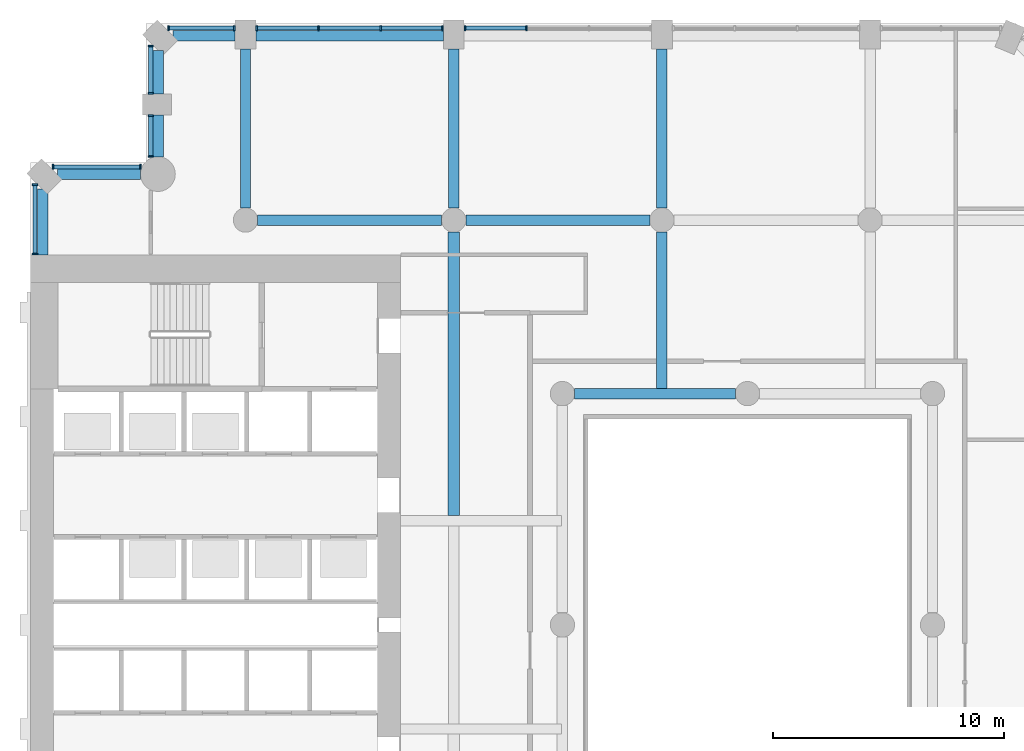
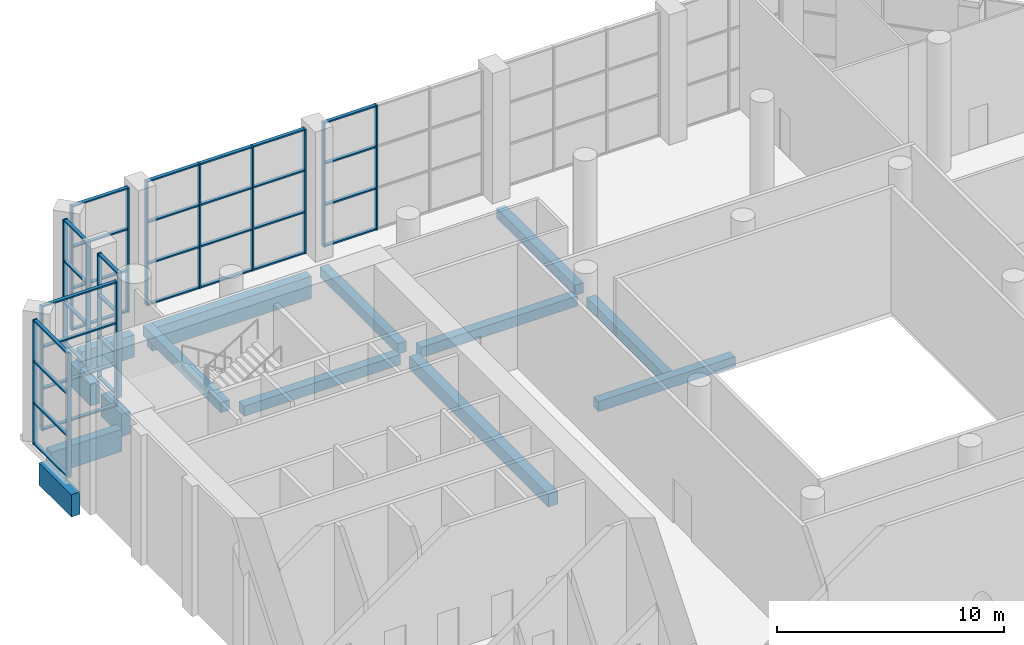
# One storey, part 6 of 22: 52 members, 14 beams, 7 elements without a shape of their own.
"""IFC4 building model written with IfcOpenShell, lengths in metres."""

from ifc_helpers import new_model, si_unit, direction, frame, origin, origin_2d, place, context, subcontext, project, spatial, rectangle, extrude, material, material_profile, profile_set, type_object, element, aggregate, save


model = new_model("IFC4")

# Units and contexts
model_context = context("Model", 3, precision=1e-05, world=origin(), true_north=direction((0.0, 1.0)))
body_context = subcontext(model_context, "Body", "Model", "MODEL_VIEW")
ifc_project = project(units=[si_unit("LENGTHUNIT", "METRE"), si_unit("AREAUNIT", "SQUARE_METRE"), si_unit("VOLUMEUNIT", "CUBIC_METRE"), si_unit("PLANEANGLEUNIT", "RADIAN"), si_unit("MASSUNIT", "GRAM", prefix="KILO")], contexts=[model_context])

# Site, building, storey
site_placement = place(None, origin())
site = spatial("IfcSite", under=ifc_project, at=site_placement, CompositionType="ELEMENT")
building_placement = place(site_placement, origin())
building = spatial("IfcBuilding", under=site, at=building_placement, Name="Cypress Arch Tower", CompositionType="ELEMENT")
storey_placement = place(building_placement, frame((0.0, 0.0, 145.5)))
storey = spatial("IfcBuildingStorey", under=building, at=storey_placement, Name="L32", CompositionType="ELEMENT", Elevation=145.5)

# Beams
ifc_material_1 = material(Name="Concrete C50/60", Category="concrete")
ifc_material_profile_1 = material_profile(ifc_material_1, rectangle(XDim=0.449951171875, YDim=0.550048828125, at=origin_2d()), Name="RC 450x550")
ifc_profile_set_1 = profile_set([ifc_material_profile_1], Name="Concrete C50/60")
beam_type_1 = type_object("IfcBeamType", Name="Floor beam RC 450x550 Concrete C50/60", PredefinedType="BEAM", material=ifc_profile_set_1)
beam_1_placement = place(storey_placement, frame((-6.47509765625, 10.0, -0.574951171875), z_axis=(1.0, 0.0, 0.0), x_axis=(0.0, 1.0, 0.0)))
element("IfcBeam", 1, at=beam_1_placement, inside=storey, type_object=beam_type_1, Name="Floor beam L32 RB007", PredefinedType="BEAM", context=body_context, shape_type="SweptSolid", body=[
    extrude(rectangle(XDim=0.449951171875, YDim=0.550048828125, at=origin_2d()), origin(), (0.0, 0.0, 1.0), 6.9501953125),
])
for number, where, z_axis, x_axis, name in (
    (2, (-20.175048828125, 17.5, -0.574951171875), (1.0, 0.0, 0.0), (0.0, 1.0, 0.0), "Floor beam L32 FB015"),
    (3, (-11.175048828125, 17.5, -0.574951171875), (1.0, 0.0, 0.0), (0.0, 1.0, 0.0), "Floor beam L32 FB016"),
):
    element("IfcBeam", number, at=place(storey_placement, frame(where, z_axis=z_axis, x_axis=x_axis)), inside=storey, type_object=beam_type_1, Name=name, PredefinedType="BEAM", context=body_context, shape_type="SweptSolid", body=[
        extrude(rectangle(XDim=0.449951171875, YDim=0.550048828125, at=origin_2d()), origin(), (0.0, 0.0, 1.0), 7.949951171875),
    ])
for number, where, z_axis, x_axis, name in (
    (4, (-20.699951171875, 18.02490234375, -0.574951171875), (0.0, 1.0, 0.0), (-1.0, 0.0, 0.0), "Floor beam L32 FB020"),
    (5, (-11.699951171875, 18.02490234375, -0.574951171875), (0.0, 1.0, 0.0), (-1.0, 0.0, 0.0), "Floor beam L32 FB025"),
):
    element("IfcBeam", number, at=place(storey_placement, frame(where, z_axis=z_axis, x_axis=x_axis)), inside=storey, type_object=beam_type_1, Name=name, PredefinedType="BEAM", context=body_context, shape_type="SweptSolid", body=[
        extrude(rectangle(XDim=0.449951171875, YDim=0.550048828125, at=origin_2d()), origin(), (0.0, 0.0, 1.0), 6.875),
    ])
beam_2_placement = place(storey_placement, frame((-2.699951171875, 10.22509765625, -0.574951171875), z_axis=(0.0, 1.0, 0.0), x_axis=(-1.0, 0.0, 0.0)))
element("IfcBeam", 6, at=beam_2_placement, inside=storey, type_object=beam_type_1, Name="Floor beam L32 FB028", PredefinedType="BEAM", context=body_context, shape_type="SweptSolid", body=[
    extrude(rectangle(XDim=0.449951171875, YDim=0.550048828125, at=origin_2d()), origin(), (0.0, 0.0, 1.0), 6.75),
])
beam_3_placement = place(storey_placement, frame((-2.699951171875, 18.02490234375, -0.574951171875), z_axis=(0.0, 1.0, 0.0), x_axis=(-1.0, 0.0, 0.0)))
element("IfcBeam", 7, at=beam_3_placement, inside=storey, type_object=beam_type_1, Name="Floor beam L32 FB029", PredefinedType="BEAM", context=body_context, shape_type="SweptSolid", body=[
    extrude(rectangle(XDim=0.449951171875, YDim=0.550048828125, at=origin_2d()), origin(), (0.0, 0.0, 1.0), 6.875),
])
ifc_material_2 = material(Name="Concrete C50/60", Category="concrete")
ifc_material_profile_2 = material_profile(ifc_material_2, rectangle(XDim=0.5, YDim=0.699951171875, at=origin_2d()), Name="RC 500x700")
ifc_profile_set_2 = profile_set([ifc_material_profile_2], Name="Concrete C50/60")
beam_type_2 = type_object("IfcBeamType", Name="Floor beam RC 500x700 Concrete C50/60", PredefinedType="BEAM", material=ifc_profile_set_2)
beam_4_placement = place(storey_placement, frame((-11.699951171875, 4.72509765625, -0.64990234375), z_axis=(0.0, 1.0, 0.0), x_axis=(-1.0, 0.0, 0.0)))
element("IfcBeam", 8, at=beam_4_placement, inside=storey, type_object=beam_type_2, Name="Floor beam L32 FB024", PredefinedType="BEAM", context=body_context, shape_type="SweptSolid", body=[
    extrude(rectangle(XDim=0.5, YDim=0.699951171875, at=origin_2d()), origin(), (0.0, 0.0, 1.0), 12.25),
])

# Curtain wall, members
ifc_material_3 = material(Name="Anodised aluminium, bronze finish, solar control laminated double glazing", Category="aluminium")
curtain_wall_type = type_object("IfcCurtainWallType", Name="Curtain wall CW3 sky lobby glazing", PredefinedType="NOTDEFINED", material=ifc_material_3)
curtain_wall_1_placement = place(storey_placement, origin())
curtain_wall_1 = element("IfcCurtainWall", 9, at=curtain_wall_1_placement, inside=storey, type_object=curtain_wall_type, Name="Curtain wall L32 A00.0.1", PredefinedType="NOTDEFINED")
ifc_material_4 = material(Name="Anodised aluminium, bronze finish", Category="aluminium")
ifc_material_profile_3 = material_profile(ifc_material_4, rectangle(XDim=0.219970703125, YDim=0.074951171875, at=origin_2d()), Name="Mullion 75x220")
ifc_profile_set_3 = profile_set([ifc_material_profile_3], Name="Anodised aluminium, bronze finish")
member_type_1 = type_object("IfcMemberType", Name="Mullion CW3 75x220", PredefinedType="MULLION", material=ifc_profile_set_3)
member_1_placement = place(storey_placement, frame((-29.800048828125, 19.026123046875, 0.0), z_axis=(0.0, 0.0, 1.0), x_axis=(1.0, 0.0, 0.0)))
member_1 = element("IfcMember", 10, at=member_1_placement, type_object=member_type_1, Name="CW3 mullion 1", PredefinedType="MULLION", context=body_context, shape_type="SweptSolid", body=[
    extrude(rectangle(XDim=0.219970703125, YDim=0.074951171875, at=origin_2d()), origin(), (0.0, 0.0, 1.0), 6.699951171875),
])
member_2_placement = place(storey_placement, frame((-29.800048828125, 16.03759765625, 0.0), z_axis=(0.0, 0.0, 1.0), x_axis=(1.0, 0.0, 0.0)))
member_2 = element("IfcMember", 11, at=member_2_placement, type_object=member_type_1, Name="CW3 mullion 2", PredefinedType="MULLION", context=body_context, shape_type="SweptSolid", body=[
    extrude(rectangle(XDim=0.219970703125, YDim=0.074951171875, at=origin_2d()), origin(), (0.0, 0.0, 1.0), 6.699951171875),
])

curtain_wall_2_placement = place(storey_placement, origin())
curtain_wall_2 = element("IfcCurtainWall", 12, at=curtain_wall_2_placement, inside=storey, type_object=curtain_wall_type, Name="Curtain wall L32 A08.2.1", PredefinedType="NOTDEFINED")
member_3_placement = place(storey_placement, frame((-8.550048828125, 25.800048828125, 0.0), z_axis=(0.0, 0.0, 1.0), x_axis=(0.0, -1.0, 0.0)))
member_3 = element("IfcMember", 13, at=member_3_placement, type_object=member_type_1, Name="CW3 mullion 3", PredefinedType="MULLION", context=body_context, shape_type="SweptSolid", body=[
    extrude(rectangle(XDim=0.219970703125, YDim=0.074951171875, at=origin_2d()), origin(), (0.0, 0.0, 1.0), 6.699951171875),
])
member_4_placement = place(storey_placement, frame((-11.21240234375, 25.800048828125, 0.0), z_axis=(0.0, 0.0, 1.0), x_axis=(0.0, -1.0, 0.0)))
member_4 = element("IfcMember", 14, at=member_4_placement, type_object=member_type_1, Name="CW3 mullion 4", PredefinedType="MULLION", context=body_context, shape_type="SweptSolid", body=[
    extrude(rectangle(XDim=0.219970703125, YDim=0.074951171875, at=origin_2d()), origin(), (0.0, 0.0, 1.0), 6.699951171875),
])

curtain_wall_3_placement = place(storey_placement, origin())
curtain_wall_3 = element("IfcCurtainWall", 15, at=curtain_wall_3_placement, inside=storey, type_object=curtain_wall_type, Name="Curtain wall L32 A08.3.1", PredefinedType="NOTDEFINED")
member_5_placement = place(storey_placement, frame((-12.1875, 25.800048828125, 0.0), z_axis=(0.0, 0.0, 1.0), x_axis=(0.0, -1.0, 0.0)))
member_5 = element("IfcMember", 16, at=member_5_placement, type_object=member_type_1, Name="CW3 mullion 1", PredefinedType="MULLION", context=body_context, shape_type="SweptSolid", body=[
    extrude(rectangle(XDim=0.219970703125, YDim=0.074951171875, at=origin_2d()), origin(), (0.0, 0.0, 1.0), 6.699951171875),
])
member_6_placement = place(storey_placement, frame((-14.85009765625, 25.800048828125, 0.0), z_axis=(0.0, 0.0, 1.0), x_axis=(0.0, -1.0, 0.0)))
member_6 = element("IfcMember", 17, at=member_6_placement, type_object=member_type_1, Name="CW3 mullion 2", PredefinedType="MULLION", context=body_context, shape_type="SweptSolid", body=[
    extrude(rectangle(XDim=0.219970703125, YDim=0.074951171875, at=origin_2d()), origin(), (0.0, 0.0, 1.0), 6.699951171875),
])
member_7_placement = place(storey_placement, frame((-17.550048828125, 25.800048828125, 0.0), z_axis=(0.0, 0.0, 1.0), x_axis=(0.0, -1.0, 0.0)))
member_7 = element("IfcMember", 18, at=member_7_placement, type_object=member_type_1, Name="CW3 mullion 3", PredefinedType="MULLION", context=body_context, shape_type="SweptSolid", body=[
    extrude(rectangle(XDim=0.219970703125, YDim=0.074951171875, at=origin_2d()), origin(), (0.0, 0.0, 1.0), 6.699951171875),
])
member_8_placement = place(storey_placement, frame((-20.21240234375, 25.800048828125, 0.0), z_axis=(0.0, 0.0, 1.0), x_axis=(0.0, -1.0, 0.0)))
member_8 = element("IfcMember", 19, at=member_8_placement, type_object=member_type_1, Name="CW3 mullion 4", PredefinedType="MULLION", context=body_context, shape_type="SweptSolid", body=[
    extrude(rectangle(XDim=0.219970703125, YDim=0.074951171875, at=origin_2d()), origin(), (0.0, 0.0, 1.0), 6.699951171875),
])

curtain_wall_4_placement = place(storey_placement, origin())
curtain_wall_4 = element("IfcCurtainWall", 20, at=curtain_wall_4_placement, inside=storey, type_object=curtain_wall_type, Name="Curtain wall L32 A08.4.1", PredefinedType="NOTDEFINED")
member_9_placement = place(storey_placement, frame((-21.1875, 25.800048828125, 0.0), z_axis=(0.0, 0.0, 1.0), x_axis=(0.0, -1.0, 0.0)))
member_9 = element("IfcMember", 21, at=member_9_placement, type_object=member_type_1, Name="CW3 mullion 1", PredefinedType="MULLION", context=body_context, shape_type="SweptSolid", body=[
    extrude(rectangle(XDim=0.219970703125, YDim=0.074951171875, at=origin_2d()), origin(), (0.0, 0.0, 1.0), 6.699951171875),
])
member_10_placement = place(storey_placement, frame((-24.026123046875, 25.800048828125, 0.0), z_axis=(0.0, 0.0, 1.0), x_axis=(0.0, -1.0, 0.0)))
member_10 = element("IfcMember", 22, at=member_10_placement, type_object=member_type_1, Name="CW3 mullion 2", PredefinedType="MULLION", context=body_context, shape_type="SweptSolid", body=[
    extrude(rectangle(XDim=0.219970703125, YDim=0.074951171875, at=origin_2d()), origin(), (0.0, 0.0, 1.0), 6.699951171875),
])

curtain_wall_5_placement = place(storey_placement, origin())
curtain_wall_5 = element("IfcCurtainWall", 23, at=curtain_wall_5_placement, inside=storey, type_object=curtain_wall_type, Name="Curtain wall L32 A09.0.1", PredefinedType="NOTDEFINED")
member_11_placement = place(storey_placement, frame((-24.800048828125, 25.026123046875, 0.0), z_axis=(0.0, 0.0, 1.0), x_axis=(1.0, 0.0, 0.0)))
member_11 = element("IfcMember", 24, at=member_11_placement, type_object=member_type_1, Name="CW3 mullion 1", PredefinedType="MULLION", context=body_context, shape_type="SweptSolid", body=[
    extrude(rectangle(XDim=0.219970703125, YDim=0.074951171875, at=origin_2d()), origin(), (0.0, 0.0, 1.0), 6.699951171875),
])
member_12_placement = place(storey_placement, frame((-24.800048828125, 22.987548828125, 0.0), z_axis=(0.0, 0.0, 1.0), x_axis=(1.0, 0.0, 0.0)))
member_12 = element("IfcMember", 25, at=member_12_placement, type_object=member_type_1, Name="CW3 mullion 2", PredefinedType="MULLION", context=body_context, shape_type="SweptSolid", body=[
    extrude(rectangle(XDim=0.219970703125, YDim=0.074951171875, at=origin_2d()), origin(), (0.0, 0.0, 1.0), 6.699951171875),
])

curtain_wall_6_placement = place(storey_placement, origin())
curtain_wall_6 = element("IfcCurtainWall", 26, at=curtain_wall_6_placement, inside=storey, type_object=curtain_wall_type, Name="Curtain wall L32 A09.1.1", PredefinedType="NOTDEFINED")
member_13_placement = place(storey_placement, frame((-24.800048828125, 22.012451171875, 0.0), z_axis=(0.0, 0.0, 1.0), x_axis=(1.0, 0.0, 0.0)))
member_13 = element("IfcMember", 27, at=member_13_placement, type_object=member_type_1, Name="CW3 mullion 1", PredefinedType="MULLION", context=body_context, shape_type="SweptSolid", body=[
    extrude(rectangle(XDim=0.219970703125, YDim=0.074951171875, at=origin_2d()), origin(), (0.0, 0.0, 1.0), 6.699951171875),
])
member_14_placement = place(storey_placement, frame((-24.800048828125, 20.244384765625, 0.0), z_axis=(0.0, 0.0, 1.0), x_axis=(1.0, 0.0, 0.0)))
member_14 = element("IfcMember", 28, at=member_14_placement, type_object=member_type_1, Name="CW3 mullion 2", PredefinedType="MULLION", context=body_context, shape_type="SweptSolid", body=[
    extrude(rectangle(XDim=0.219970703125, YDim=0.074951171875, at=origin_2d()), origin(), (0.0, 0.0, 1.0), 6.699951171875),
])

curtain_wall_7_placement = place(storey_placement, origin())
curtain_wall_7 = element("IfcCurtainWall", 29, at=curtain_wall_7_placement, inside=storey, type_object=curtain_wall_type, Name="Curtain wall L32 A10.0.1", PredefinedType="NOTDEFINED")
member_15_placement = place(storey_placement, frame((-25.244384765625, 19.800048828125, 0.0), z_axis=(0.0, 0.0, 1.0), x_axis=(0.0, -1.0, 0.0)))
member_15 = element("IfcMember", 30, at=member_15_placement, type_object=member_type_1, Name="CW3 mullion 1", PredefinedType="MULLION", context=body_context, shape_type="SweptSolid", body=[
    extrude(rectangle(XDim=0.219970703125, YDim=0.074951171875, at=origin_2d()), origin(), (0.0, 0.0, 1.0), 6.699951171875),
])
member_16_placement = place(storey_placement, frame((-29.026123046875, 19.800048828125, 0.0), z_axis=(0.0, 0.0, 1.0), x_axis=(0.0, -1.0, 0.0)))
member_16 = element("IfcMember", 31, at=member_16_placement, type_object=member_type_1, Name="CW3 mullion 2", PredefinedType="MULLION", context=body_context, shape_type="SweptSolid", body=[
    extrude(rectangle(XDim=0.219970703125, YDim=0.074951171875, at=origin_2d()), origin(), (0.0, 0.0, 1.0), 6.699951171875),
])

# Beams
ifc_material_5 = material(Name="Concrete C50/60", Category="concrete")
ifc_material_profile_4 = material_profile(ifc_material_5, rectangle(XDim=0.449951171875, YDim=1.199951171875, at=origin_2d()), Name="RC 450x1200")
ifc_profile_set_4 = profile_set([ifc_material_profile_4], Name="Concrete C50/60")
beam_type_3 = type_object("IfcBeamType", Name="Spandrel beam RC 450x1200 Concrete C50/60", PredefinedType="SPANDREL", material=ifc_profile_set_4)
beam_5_placement = place(storey_placement, frame((-29.47509765625, 18.838623046875, -1.550048828125), z_axis=(0.0, -1.0, 0.0), x_axis=(1.0, 0.0, 0.0)))
element("IfcBeam", 32, at=beam_5_placement, inside=storey, type_object=beam_type_3, Name="Spandrel beam L32 BA00-0", PredefinedType="SPANDREL", context=body_context, shape_type="SweptSolid", body=[
    extrude(rectangle(XDim=0.449951171875, YDim=1.199951171875, at=origin_2d()), origin(), (0.0, 0.0, 1.0), 2.838623046875),
])
beam_6_placement = place(storey_placement, frame((-12.14990234375, 25.47509765625, -1.550048828125), z_axis=(-1.0, 0.0, 0.0), x_axis=(0.0, -1.0, 0.0)))
element("IfcBeam", 33, at=beam_6_placement, inside=storey, type_object=beam_type_3, Name="Spandrel beam L32 BA08-3", PredefinedType="SPANDREL", context=body_context, shape_type="SweptSolid", body=[
    extrude(rectangle(XDim=0.449951171875, YDim=1.199951171875, at=origin_2d()), origin(), (0.0, 0.0, 1.0), 8.10009765625),
])
beam_7_placement = place(storey_placement, frame((-21.14990234375, 25.47509765625, -1.550048828125), z_axis=(-1.0, 0.0, 0.0), x_axis=(0.0, -1.0, 0.0)))
element("IfcBeam", 34, at=beam_7_placement, inside=storey, type_object=beam_type_3, Name="Spandrel beam L32 BA08-4", PredefinedType="SPANDREL", context=body_context, shape_type="SweptSolid", body=[
    extrude(rectangle(XDim=0.449951171875, YDim=1.199951171875, at=origin_2d()), origin(), (0.0, 0.0, 1.0), 2.688720703125),
])
beam_8_placement = place(storey_placement, frame((-24.47509765625, 24.838623046875, -1.550048828125), z_axis=(0.0, -1.0, 0.0), x_axis=(1.0, 0.0, 0.0)))
element("IfcBeam", 35, at=beam_8_placement, inside=storey, type_object=beam_type_3, Name="Spandrel beam L32 BA09-0", PredefinedType="SPANDREL", context=body_context, shape_type="SweptSolid", body=[
    extrude(rectangle(XDim=0.449951171875, YDim=1.199951171875, at=origin_2d()), origin(), (0.0, 0.0, 1.0), 1.888671875),
])
beam_9_placement = place(storey_placement, frame((-24.47509765625, 22.050048828125, -1.550048828125), z_axis=(0.0, -1.0, 0.0), x_axis=(1.0, 0.0, 0.0)))
element("IfcBeam", 36, at=beam_9_placement, inside=storey, type_object=beam_type_3, Name="Spandrel beam L32 BA09-1", PredefinedType="SPANDREL", context=body_context, shape_type="SweptSolid", body=[
    extrude(rectangle(XDim=0.449951171875, YDim=1.199951171875, at=origin_2d()), origin(), (0.0, 0.0, 1.0), 1.8125),
])
beam_10_placement = place(storey_placement, frame((-25.237548828125, 19.47509765625, -1.550048828125), z_axis=(-1.0, 0.0, 0.0), x_axis=(0.0, -1.0, 0.0)))
element("IfcBeam", 37, at=beam_10_placement, inside=storey, type_object=beam_type_3, Name="Spandrel beam L32 BA10-0", PredefinedType="SPANDREL", context=body_context, shape_type="SweptSolid", body=[
    extrude(rectangle(XDim=0.449951171875, YDim=1.199951171875, at=origin_2d()), origin(), (0.0, 0.0, 1.0), 3.60107421875),
])

# Member
ifc_material_6 = material(Name="Anodised aluminium, bronze finish", Category="aluminium")
ifc_material_profile_5 = material_profile(ifc_material_6, rectangle(XDim=0.179931640625, YDim=0.074951171875, at=origin_2d()), Name="Transom 75x180")
ifc_profile_set_5 = profile_set([ifc_material_profile_5], Name="Anodised aluminium, bronze finish")
member_type_2 = type_object("IfcMemberType", Name="Transom CW3 75x180", PredefinedType="USERDEFINED", material=ifc_profile_set_5)
member_17_placement = place(storey_placement, frame((-29.800048828125, 18.988525390625, 0.03759765625), z_axis=(0.0, -1.0, 0.0), x_axis=(1.0, 0.0, 0.0)))
member_17 = element("IfcMember", 38, at=member_17_placement, type_object=member_type_2, Name="CW3 transom 1.1", ObjectType="TRANSOM", PredefinedType="USERDEFINED", context=body_context, shape_type="SweptSolid", body=[
    extrude(rectangle(XDim=0.179931640625, YDim=0.074951171875, at=origin_2d()), origin(), (0.0, 0.0, 1.0), 2.91357421875),
])

member_18_placement = place(storey_placement, frame((-29.800048828125, 18.988525390625, 2.2333984375), z_axis=(0.0, -1.0, 0.0), x_axis=(1.0, 0.0, 0.0)))
member_18 = element("IfcMember", 39, at=member_18_placement, type_object=member_type_2, Name="CW3 transom 1.2", ObjectType="TRANSOM", PredefinedType="USERDEFINED", context=body_context, shape_type="SweptSolid", body=[
    extrude(rectangle(XDim=0.179931640625, YDim=0.074951171875, at=origin_2d()), origin(), (0.0, 0.0, 1.0), 2.91357421875),
])

member_19_placement = place(storey_placement, frame((-29.800048828125, 18.988525390625, 4.466552734375), z_axis=(0.0, -1.0, 0.0), x_axis=(1.0, 0.0, 0.0)))
member_19 = element("IfcMember", 40, at=member_19_placement, type_object=member_type_2, Name="CW3 transom 1.3", ObjectType="TRANSOM", PredefinedType="USERDEFINED", context=body_context, shape_type="SweptSolid", body=[
    extrude(rectangle(XDim=0.179931640625, YDim=0.074951171875, at=origin_2d()), origin(), (0.0, 0.0, 1.0), 2.91357421875),
])

member_20_placement = place(storey_placement, frame((-29.800048828125, 18.988525390625, 6.66259765625), z_axis=(0.0, -1.0, 0.0), x_axis=(1.0, 0.0, 0.0)))
member_20 = element("IfcMember", 41, at=member_20_placement, type_object=member_type_2, Name="CW3 transom 1.4", ObjectType="TRANSOM", PredefinedType="USERDEFINED", context=body_context, shape_type="SweptSolid", body=[
    extrude(rectangle(XDim=0.179931640625, YDim=0.074951171875, at=origin_2d()), origin(), (0.0, 0.0, 1.0), 2.91357421875),
])

aggregate(curtain_wall_1, [member_1, member_2, member_17, member_18, member_19, member_20])

member_21_placement = place(storey_placement, frame((-8.58740234375, 25.800048828125, 0.03759765625), z_axis=(-1.0, 0.0, 0.0), x_axis=(0.0, -1.0, 0.0)))
member_21 = element("IfcMember", 42, at=member_21_placement, type_object=member_type_2, Name="CW3 transom 3.1", ObjectType="TRANSOM", PredefinedType="USERDEFINED", context=body_context, shape_type="SweptSolid", body=[
    extrude(rectangle(XDim=0.179931640625, YDim=0.074951171875, at=origin_2d()), origin(), (0.0, 0.0, 1.0), 2.587646484375),
])

member_22_placement = place(storey_placement, frame((-8.58740234375, 25.800048828125, 2.2333984375), z_axis=(-1.0, 0.0, 0.0), x_axis=(0.0, -1.0, 0.0)))
member_22 = element("IfcMember", 43, at=member_22_placement, type_object=member_type_2, Name="CW3 transom 3.2", ObjectType="TRANSOM", PredefinedType="USERDEFINED", context=body_context, shape_type="SweptSolid", body=[
    extrude(rectangle(XDim=0.179931640625, YDim=0.074951171875, at=origin_2d()), origin(), (0.0, 0.0, 1.0), 2.587646484375),
])

member_23_placement = place(storey_placement, frame((-8.58740234375, 25.800048828125, 4.466552734375), z_axis=(-1.0, 0.0, 0.0), x_axis=(0.0, -1.0, 0.0)))
member_23 = element("IfcMember", 44, at=member_23_placement, type_object=member_type_2, Name="CW3 transom 3.3", ObjectType="TRANSOM", PredefinedType="USERDEFINED", context=body_context, shape_type="SweptSolid", body=[
    extrude(rectangle(XDim=0.179931640625, YDim=0.074951171875, at=origin_2d()), origin(), (0.0, 0.0, 1.0), 2.587646484375),
])

member_24_placement = place(storey_placement, frame((-8.58740234375, 25.800048828125, 6.66259765625), z_axis=(-1.0, 0.0, 0.0), x_axis=(0.0, -1.0, 0.0)))
member_24 = element("IfcMember", 45, at=member_24_placement, type_object=member_type_2, Name="CW3 transom 3.4", ObjectType="TRANSOM", PredefinedType="USERDEFINED", context=body_context, shape_type="SweptSolid", body=[
    extrude(rectangle(XDim=0.179931640625, YDim=0.074951171875, at=origin_2d()), origin(), (0.0, 0.0, 1.0), 2.587646484375),
])

aggregate(curtain_wall_2, [member_3, member_4, member_21, member_22, member_23, member_24])

member_25_placement = place(storey_placement, frame((-12.22509765625, 25.800048828125, 0.03759765625), z_axis=(-1.0, 0.0, 0.0), x_axis=(0.0, -1.0, 0.0)))
member_25 = element("IfcMember", 46, at=member_25_placement, type_object=member_type_2, Name="CW3 transom 1.1", ObjectType="TRANSOM", PredefinedType="USERDEFINED", context=body_context, shape_type="SweptSolid", body=[
    extrude(rectangle(XDim=0.179931640625, YDim=0.074951171875, at=origin_2d()), origin(), (0.0, 0.0, 1.0), 2.58740234375),
])

member_26_placement = place(storey_placement, frame((-12.22509765625, 25.800048828125, 2.2333984375), z_axis=(-1.0, 0.0, 0.0), x_axis=(0.0, -1.0, 0.0)))
member_26 = element("IfcMember", 47, at=member_26_placement, type_object=member_type_2, Name="CW3 transom 1.2", ObjectType="TRANSOM", PredefinedType="USERDEFINED", context=body_context, shape_type="SweptSolid", body=[
    extrude(rectangle(XDim=0.179931640625, YDim=0.074951171875, at=origin_2d()), origin(), (0.0, 0.0, 1.0), 2.58740234375),
])

member_27_placement = place(storey_placement, frame((-12.22509765625, 25.800048828125, 4.466552734375), z_axis=(-1.0, 0.0, 0.0), x_axis=(0.0, -1.0, 0.0)))
member_27 = element("IfcMember", 48, at=member_27_placement, type_object=member_type_2, Name="CW3 transom 1.3", ObjectType="TRANSOM", PredefinedType="USERDEFINED", context=body_context, shape_type="SweptSolid", body=[
    extrude(rectangle(XDim=0.179931640625, YDim=0.074951171875, at=origin_2d()), origin(), (0.0, 0.0, 1.0), 2.58740234375),
])

member_28_placement = place(storey_placement, frame((-12.22509765625, 25.800048828125, 6.66259765625), z_axis=(-1.0, 0.0, 0.0), x_axis=(0.0, -1.0, 0.0)))
member_28 = element("IfcMember", 49, at=member_28_placement, type_object=member_type_2, Name="CW3 transom 1.4", ObjectType="TRANSOM", PredefinedType="USERDEFINED", context=body_context, shape_type="SweptSolid", body=[
    extrude(rectangle(XDim=0.179931640625, YDim=0.074951171875, at=origin_2d()), origin(), (0.0, 0.0, 1.0), 2.58740234375),
])

member_29_placement = place(storey_placement, frame((-14.887451171875, 25.800048828125, 0.03759765625), z_axis=(-1.0, 0.0, 0.0), x_axis=(0.0, -1.0, 0.0)))
member_29 = element("IfcMember", 50, at=member_29_placement, type_object=member_type_2, Name="CW3 transom 2.1", ObjectType="TRANSOM", PredefinedType="USERDEFINED", context=body_context, shape_type="SweptSolid", body=[
    extrude(rectangle(XDim=0.179931640625, YDim=0.074951171875, at=origin_2d()), origin(), (0.0, 0.0, 1.0), 2.625),
])

member_30_placement = place(storey_placement, frame((-14.887451171875, 25.800048828125, 2.2333984375), z_axis=(-1.0, 0.0, 0.0), x_axis=(0.0, -1.0, 0.0)))
member_30 = element("IfcMember", 51, at=member_30_placement, type_object=member_type_2, Name="CW3 transom 2.2", ObjectType="TRANSOM", PredefinedType="USERDEFINED", context=body_context, shape_type="SweptSolid", body=[
    extrude(rectangle(XDim=0.179931640625, YDim=0.074951171875, at=origin_2d()), origin(), (0.0, 0.0, 1.0), 2.625),
])

member_31_placement = place(storey_placement, frame((-14.887451171875, 25.800048828125, 4.466552734375), z_axis=(-1.0, 0.0, 0.0), x_axis=(0.0, -1.0, 0.0)))
member_31 = element("IfcMember", 52, at=member_31_placement, type_object=member_type_2, Name="CW3 transom 2.3", ObjectType="TRANSOM", PredefinedType="USERDEFINED", context=body_context, shape_type="SweptSolid", body=[
    extrude(rectangle(XDim=0.179931640625, YDim=0.074951171875, at=origin_2d()), origin(), (0.0, 0.0, 1.0), 2.625),
])

member_32_placement = place(storey_placement, frame((-14.887451171875, 25.800048828125, 6.66259765625), z_axis=(-1.0, 0.0, 0.0), x_axis=(0.0, -1.0, 0.0)))
member_32 = element("IfcMember", 53, at=member_32_placement, type_object=member_type_2, Name="CW3 transom 2.4", ObjectType="TRANSOM", PredefinedType="USERDEFINED", context=body_context, shape_type="SweptSolid", body=[
    extrude(rectangle(XDim=0.179931640625, YDim=0.074951171875, at=origin_2d()), origin(), (0.0, 0.0, 1.0), 2.625),
])

member_33_placement = place(storey_placement, frame((-17.58740234375, 25.800048828125, 0.03759765625), z_axis=(-1.0, 0.0, 0.0), x_axis=(0.0, -1.0, 0.0)))
member_33 = element("IfcMember", 54, at=member_33_placement, type_object=member_type_2, Name="CW3 transom 3.1", ObjectType="TRANSOM", PredefinedType="USERDEFINED", context=body_context, shape_type="SweptSolid", body=[
    extrude(rectangle(XDim=0.179931640625, YDim=0.074951171875, at=origin_2d()), origin(), (0.0, 0.0, 1.0), 2.587646484375),
])

member_34_placement = place(storey_placement, frame((-17.58740234375, 25.800048828125, 2.2333984375), z_axis=(-1.0, 0.0, 0.0), x_axis=(0.0, -1.0, 0.0)))
member_34 = element("IfcMember", 55, at=member_34_placement, type_object=member_type_2, Name="CW3 transom 3.2", ObjectType="TRANSOM", PredefinedType="USERDEFINED", context=body_context, shape_type="SweptSolid", body=[
    extrude(rectangle(XDim=0.179931640625, YDim=0.074951171875, at=origin_2d()), origin(), (0.0, 0.0, 1.0), 2.587646484375),
])

member_35_placement = place(storey_placement, frame((-17.58740234375, 25.800048828125, 4.466552734375), z_axis=(-1.0, 0.0, 0.0), x_axis=(0.0, -1.0, 0.0)))
member_35 = element("IfcMember", 56, at=member_35_placement, type_object=member_type_2, Name="CW3 transom 3.3", ObjectType="TRANSOM", PredefinedType="USERDEFINED", context=body_context, shape_type="SweptSolid", body=[
    extrude(rectangle(XDim=0.179931640625, YDim=0.074951171875, at=origin_2d()), origin(), (0.0, 0.0, 1.0), 2.587646484375),
])

member_36_placement = place(storey_placement, frame((-17.58740234375, 25.800048828125, 6.66259765625), z_axis=(-1.0, 0.0, 0.0), x_axis=(0.0, -1.0, 0.0)))
member_36 = element("IfcMember", 57, at=member_36_placement, type_object=member_type_2, Name="CW3 transom 3.4", ObjectType="TRANSOM", PredefinedType="USERDEFINED", context=body_context, shape_type="SweptSolid", body=[
    extrude(rectangle(XDim=0.179931640625, YDim=0.074951171875, at=origin_2d()), origin(), (0.0, 0.0, 1.0), 2.587646484375),
])

aggregate(curtain_wall_3, [member_5, member_6, member_7, member_8, member_25, member_26, member_27, member_28, member_29, member_30, member_31, member_32, member_33, member_34, member_35, member_36])

member_37_placement = place(storey_placement, frame((-21.22509765625, 25.800048828125, 0.03759765625), z_axis=(-1.0, 0.0, 0.0), x_axis=(0.0, -1.0, 0.0)))
member_37 = element("IfcMember", 58, at=member_37_placement, type_object=member_type_2, Name="CW3 transom 1.1", ObjectType="TRANSOM", PredefinedType="USERDEFINED", context=body_context, shape_type="SweptSolid", body=[
    extrude(rectangle(XDim=0.179931640625, YDim=0.074951171875, at=origin_2d()), origin(), (0.0, 0.0, 1.0), 2.763427734375),
])

member_38_placement = place(storey_placement, frame((-21.22509765625, 25.800048828125, 2.2333984375), z_axis=(-1.0, 0.0, 0.0), x_axis=(0.0, -1.0, 0.0)))
member_38 = element("IfcMember", 59, at=member_38_placement, type_object=member_type_2, Name="CW3 transom 1.2", ObjectType="TRANSOM", PredefinedType="USERDEFINED", context=body_context, shape_type="SweptSolid", body=[
    extrude(rectangle(XDim=0.179931640625, YDim=0.074951171875, at=origin_2d()), origin(), (0.0, 0.0, 1.0), 2.763427734375),
])

member_39_placement = place(storey_placement, frame((-21.22509765625, 25.800048828125, 4.466552734375), z_axis=(-1.0, 0.0, 0.0), x_axis=(0.0, -1.0, 0.0)))
member_39 = element("IfcMember", 60, at=member_39_placement, type_object=member_type_2, Name="CW3 transom 1.3", ObjectType="TRANSOM", PredefinedType="USERDEFINED", context=body_context, shape_type="SweptSolid", body=[
    extrude(rectangle(XDim=0.179931640625, YDim=0.074951171875, at=origin_2d()), origin(), (0.0, 0.0, 1.0), 2.763427734375),
])

member_40_placement = place(storey_placement, frame((-21.22509765625, 25.800048828125, 6.66259765625), z_axis=(-1.0, 0.0, 0.0), x_axis=(0.0, -1.0, 0.0)))
member_40 = element("IfcMember", 61, at=member_40_placement, type_object=member_type_2, Name="CW3 transom 1.4", ObjectType="TRANSOM", PredefinedType="USERDEFINED", context=body_context, shape_type="SweptSolid", body=[
    extrude(rectangle(XDim=0.179931640625, YDim=0.074951171875, at=origin_2d()), origin(), (0.0, 0.0, 1.0), 2.763427734375),
])

aggregate(curtain_wall_4, [member_9, member_10, member_37, member_38, member_39, member_40])

member_41_placement = place(storey_placement, frame((-24.800048828125, 24.988525390625, 0.03759765625), z_axis=(0.0, -1.0, 0.0), x_axis=(1.0, 0.0, 0.0)))
member_41 = element("IfcMember", 62, at=member_41_placement, type_object=member_type_2, Name="CW3 transom 1.1", ObjectType="TRANSOM", PredefinedType="USERDEFINED", context=body_context, shape_type="SweptSolid", body=[
    extrude(rectangle(XDim=0.179931640625, YDim=0.074951171875, at=origin_2d()), origin(), (0.0, 0.0, 1.0), 1.963623046875),
])

member_42_placement = place(storey_placement, frame((-24.800048828125, 24.988525390625, 2.2333984375), z_axis=(0.0, -1.0, 0.0), x_axis=(1.0, 0.0, 0.0)))
member_42 = element("IfcMember", 63, at=member_42_placement, type_object=member_type_2, Name="CW3 transom 1.2", ObjectType="TRANSOM", PredefinedType="USERDEFINED", context=body_context, shape_type="SweptSolid", body=[
    extrude(rectangle(XDim=0.179931640625, YDim=0.074951171875, at=origin_2d()), origin(), (0.0, 0.0, 1.0), 1.963623046875),
])

member_43_placement = place(storey_placement, frame((-24.800048828125, 24.988525390625, 4.466552734375), z_axis=(0.0, -1.0, 0.0), x_axis=(1.0, 0.0, 0.0)))
member_43 = element("IfcMember", 64, at=member_43_placement, type_object=member_type_2, Name="CW3 transom 1.3", ObjectType="TRANSOM", PredefinedType="USERDEFINED", context=body_context, shape_type="SweptSolid", body=[
    extrude(rectangle(XDim=0.179931640625, YDim=0.074951171875, at=origin_2d()), origin(), (0.0, 0.0, 1.0), 1.963623046875),
])

member_44_placement = place(storey_placement, frame((-24.800048828125, 24.988525390625, 6.66259765625), z_axis=(0.0, -1.0, 0.0), x_axis=(1.0, 0.0, 0.0)))
member_44 = element("IfcMember", 65, at=member_44_placement, type_object=member_type_2, Name="CW3 transom 1.4", ObjectType="TRANSOM", PredefinedType="USERDEFINED", context=body_context, shape_type="SweptSolid", body=[
    extrude(rectangle(XDim=0.179931640625, YDim=0.074951171875, at=origin_2d()), origin(), (0.0, 0.0, 1.0), 1.963623046875),
])

aggregate(curtain_wall_5, [member_11, member_12, member_41, member_42, member_43, member_44])

member_45_placement = place(storey_placement, frame((-24.800048828125, 21.97509765625, 0.03759765625), z_axis=(0.0, -1.0, 0.0), x_axis=(1.0, 0.0, 0.0)))
member_45 = element("IfcMember", 66, at=member_45_placement, type_object=member_type_2, Name="CW3 transom 1.1", ObjectType="TRANSOM", PredefinedType="USERDEFINED", context=body_context, shape_type="SweptSolid", body=[
    extrude(rectangle(XDim=0.179931640625, YDim=0.074951171875, at=origin_2d()), origin(), (0.0, 0.0, 1.0), 1.693115234375),
])

member_46_placement = place(storey_placement, frame((-24.800048828125, 21.97509765625, 2.2333984375), z_axis=(0.0, -1.0, 0.0), x_axis=(1.0, 0.0, 0.0)))
member_46 = element("IfcMember", 67, at=member_46_placement, type_object=member_type_2, Name="CW3 transom 1.2", ObjectType="TRANSOM", PredefinedType="USERDEFINED", context=body_context, shape_type="SweptSolid", body=[
    extrude(rectangle(XDim=0.179931640625, YDim=0.074951171875, at=origin_2d()), origin(), (0.0, 0.0, 1.0), 1.693115234375),
])

member_47_placement = place(storey_placement, frame((-24.800048828125, 21.97509765625, 4.466552734375), z_axis=(0.0, -1.0, 0.0), x_axis=(1.0, 0.0, 0.0)))
member_47 = element("IfcMember", 68, at=member_47_placement, type_object=member_type_2, Name="CW3 transom 1.3", ObjectType="TRANSOM", PredefinedType="USERDEFINED", context=body_context, shape_type="SweptSolid", body=[
    extrude(rectangle(XDim=0.179931640625, YDim=0.074951171875, at=origin_2d()), origin(), (0.0, 0.0, 1.0), 1.693115234375),
])

member_48_placement = place(storey_placement, frame((-24.800048828125, 21.97509765625, 6.66259765625), z_axis=(0.0, -1.0, 0.0), x_axis=(1.0, 0.0, 0.0)))
member_48 = element("IfcMember", 69, at=member_48_placement, type_object=member_type_2, Name="CW3 transom 1.4", ObjectType="TRANSOM", PredefinedType="USERDEFINED", context=body_context, shape_type="SweptSolid", body=[
    extrude(rectangle(XDim=0.179931640625, YDim=0.074951171875, at=origin_2d()), origin(), (0.0, 0.0, 1.0), 1.693115234375),
])

aggregate(curtain_wall_6, [member_13, member_14, member_45, member_46, member_47, member_48])

member_49_placement = place(storey_placement, frame((-25.281982421875, 19.800048828125, 0.03759765625), z_axis=(-1.0, 0.0, 0.0), x_axis=(0.0, -1.0, 0.0)))
member_49 = element("IfcMember", 70, at=member_49_placement, type_object=member_type_2, Name="CW3 transom 1.1", ObjectType="TRANSOM", PredefinedType="USERDEFINED", context=body_context, shape_type="SweptSolid", body=[
    extrude(rectangle(XDim=0.179931640625, YDim=0.074951171875, at=origin_2d()), origin(), (0.0, 0.0, 1.0), 3.70654296875),
])

member_50_placement = place(storey_placement, frame((-25.281982421875, 19.800048828125, 2.2333984375), z_axis=(-1.0, 0.0, 0.0), x_axis=(0.0, -1.0, 0.0)))
member_50 = element("IfcMember", 71, at=member_50_placement, type_object=member_type_2, Name="CW3 transom 1.2", ObjectType="TRANSOM", PredefinedType="USERDEFINED", context=body_context, shape_type="SweptSolid", body=[
    extrude(rectangle(XDim=0.179931640625, YDim=0.074951171875, at=origin_2d()), origin(), (0.0, 0.0, 1.0), 3.70654296875),
])

member_51_placement = place(storey_placement, frame((-25.281982421875, 19.800048828125, 4.466552734375), z_axis=(-1.0, 0.0, 0.0), x_axis=(0.0, -1.0, 0.0)))
member_51 = element("IfcMember", 72, at=member_51_placement, type_object=member_type_2, Name="CW3 transom 1.3", ObjectType="TRANSOM", PredefinedType="USERDEFINED", context=body_context, shape_type="SweptSolid", body=[
    extrude(rectangle(XDim=0.179931640625, YDim=0.074951171875, at=origin_2d()), origin(), (0.0, 0.0, 1.0), 3.70654296875),
])

member_52_placement = place(storey_placement, frame((-25.281982421875, 19.800048828125, 6.66259765625), z_axis=(-1.0, 0.0, 0.0), x_axis=(0.0, -1.0, 0.0)))
member_52 = element("IfcMember", 73, at=member_52_placement, type_object=member_type_2, Name="CW3 transom 1.4", ObjectType="TRANSOM", PredefinedType="USERDEFINED", context=body_context, shape_type="SweptSolid", body=[
    extrude(rectangle(XDim=0.179931640625, YDim=0.074951171875, at=origin_2d()), origin(), (0.0, 0.0, 1.0), 3.70654296875),
])

aggregate(curtain_wall_7, [member_15, member_16, member_49, member_50, member_51, member_52])

save(model, "model.ifc")
